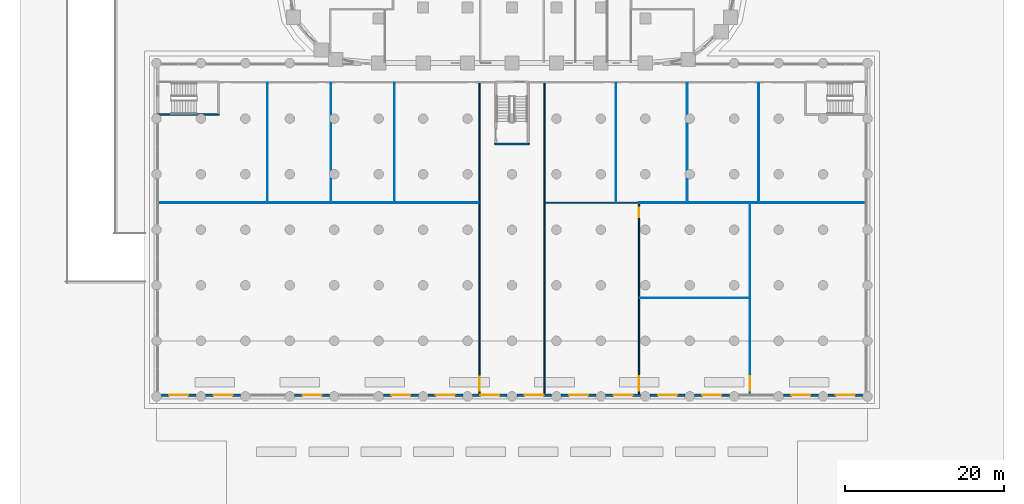
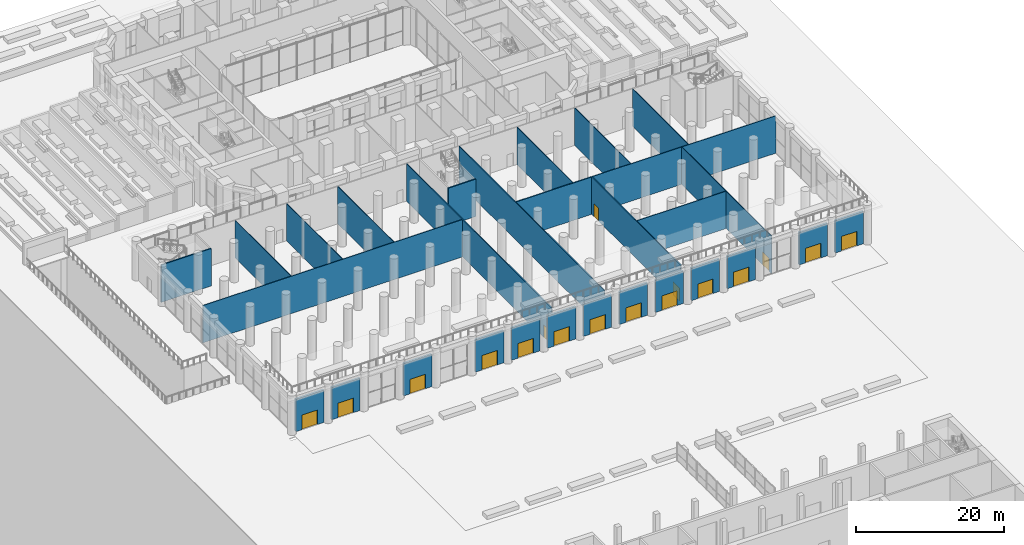
# One storey, part 32 of 51: 29 walls, 17 doors, 17 openings.
"""IFC4 building model written with IfcOpenShell, lengths in metres."""

from ifc_helpers import new_model, si_unit, direction, frame, frame_2d, origin, place, context, subcontext, project, spatial, rectangle, extrude, material, layer, layer_set, type_object, element, fill, save


model = new_model("IFC4")

# Units and contexts
model_context = context("Model", 3, precision=1e-05, world=origin(), true_north=direction((0.0, 1.0)))
body_context = subcontext(model_context, "Body", "Model", "MODEL_VIEW")
ifc_project = project(units=[si_unit("LENGTHUNIT", "METRE"), si_unit("AREAUNIT", "SQUARE_METRE"), si_unit("VOLUMEUNIT", "CUBIC_METRE"), si_unit("PLANEANGLEUNIT", "RADIAN"), si_unit("MASSUNIT", "GRAM", prefix="KILO")], contexts=[model_context])

# Site, building, storey
site_placement = place(None, origin())
site = spatial("IfcSite", under=ifc_project, at=site_placement, CompositionType="ELEMENT")
building_placement = place(site_placement, origin())
building = spatial("IfcBuilding", under=site, at=building_placement, Name="Kiln Ring Residences", CompositionType="ELEMENT")
storey_placement = place(building_placement, origin())
storey = spatial("IfcBuildingStorey", under=building, at=storey_placement, Name="L00", CompositionType="ELEMENT", Elevation=0.0)

# Wall, opening, door
ifc_material_1 = material(Name="Brick masonry, dark clay brick", Category="masonry")
ifc_layer_1 = layer(ifc_material_1, 0.300048828125)
ifc_layer_set_1 = layer_set([ifc_layer_1], Name="EW-300 BRICK WALL")
wall_type_1 = type_object("IfcWallType", Name="EW-300 BRICK WALL", PredefinedType="SOLIDWALL", material=ifc_layer_set_1)
wall_1_placement = place(storey_placement, frame((-44.199951171875, -64.25, 0.0), z_axis=(0.0, 0.0, 1.0), x_axis=(1.0, 0.0, 0.0)))
wall_1 = element("IfcWall", 1, at=wall_1_placement, inside=storey, type_object=wall_type_1, Name="Facade wall L00 7", PredefinedType="SOLIDWALL", context=body_context, shape_type="SweptSolid", body=[
    extrude(rectangle(XDim=4.39990234375, YDim=0.300048828125, at=frame_2d((2.199951171875, 0.0))), origin(), (0.0, 0.0, 1.0), 5.35009765625),
])
opening_1_placement = place(wall_1_placement, frame((1.0, 0.0, 0.0)))
opening_1 = element("IfcOpeningElement", 2, at=opening_1_placement, cuts=wall_1, Name="Opening EL00-7", PredefinedType="OPENING", context=body_context, shape_type="SweptSolid", body=[
    extrude(rectangle(XDim=2.39990234375, YDim=2.39990234375, at=frame_2d((1.199951171875, 1.199951171875))), frame((0.0, 0.159912109375, 0.0), z_axis=(0.0, -1.0, 0.0), x_axis=(1.0, 0.0, 0.0)), (0.0, 0.0, 1.0), 0.320068359375),
])
ifc_material_2 = material(Name="Aluminium and glass", Category="aluminium")
door_type_1 = type_object("IfcDoorType", Name="ENTRANCE DOOR 2400 x 2400", OperationType="DOUBLE_DOOR_SINGLE_SWING", PredefinedType="DOOR", material=ifc_material_2)
door_1_placement = place(opening_1_placement, origin())
door_1 = element("IfcDoor", 3, at=door_1_placement, inside=storey, type_object=door_type_1, Name="Entrance door EL00-7", OperationType="SINGLE_SWING_LEFT", OverallHeight=2.39990234375, OverallWidth=2.39990234375, PredefinedType="DOOR", context=body_context, shape_type="SweptSolid", body=[
    extrude(rectangle(XDim=2.39990234375, YDim=2.39990234375, at=frame_2d((1.199951171875, 1.199951171875))), frame((0.0, 0.02490234375, 0.0), z_axis=(0.0, -1.0, 0.0), x_axis=(1.0, 0.0, 0.0)), (0.0, 0.0, 1.0), 0.050048828125),
])
fill(opening_1, door_1)

wall_2_placement = place(storey_placement, frame((-38.60009765625, -64.25, 0.0), z_axis=(0.0, 0.0, 1.0), x_axis=(1.0, 0.0, 0.0)))
wall_2 = element("IfcWall", 4, at=wall_2_placement, inside=storey, type_object=wall_type_1, Name="Facade wall L00 8", PredefinedType="SOLIDWALL", context=body_context, shape_type="SweptSolid", body=[
    extrude(rectangle(XDim=4.400146484375, YDim=0.300048828125, at=frame_2d((2.2001953125, 0.0))), origin(), (0.0, 0.0, 1.0), 5.35009765625),
])
opening_2_placement = place(wall_2_placement, frame((1.0, 0.0, 0.0)))
opening_2 = element("IfcOpeningElement", 5, at=opening_2_placement, cuts=wall_2, Name="Opening EL00-8", PredefinedType="OPENING", context=body_context, shape_type="SweptSolid", body=[
    extrude(rectangle(XDim=2.39990234375, YDim=2.39990234375, at=frame_2d((1.199951171875, 1.199951171875))), frame((0.0, 0.159912109375, 0.0), z_axis=(0.0, -1.0, 0.0), x_axis=(1.0, 0.0, 0.0)), (0.0, 0.0, 1.0), 0.320068359375),
])
door_2_placement = place(opening_2_placement, origin())
door_2 = element("IfcDoor", 6, at=door_2_placement, inside=storey, type_object=door_type_1, Name="Entrance door EL00-8", OperationType="SINGLE_SWING_LEFT", OverallHeight=2.39990234375, OverallWidth=2.39990234375, PredefinedType="DOOR", context=body_context, shape_type="SweptSolid", body=[
    extrude(rectangle(XDim=2.39990234375, YDim=2.39990234375, at=frame_2d((1.199951171875, 1.199951171875))), frame((0.0, 0.02490234375, 0.0), z_axis=(0.0, -1.0, 0.0), x_axis=(1.0, 0.0, 0.0)), (0.0, 0.0, 1.0), 0.050048828125),
])
fill(opening_2, door_2)

wall_3_placement = place(storey_placement, frame((-27.39990234375, -64.25, 0.0), z_axis=(0.0, 0.0, 1.0), x_axis=(1.0, 0.0, 0.0)))
wall_3 = element("IfcWall", 7, at=wall_3_placement, inside=storey, type_object=wall_type_1, Name="Facade wall L00 9", PredefinedType="SOLIDWALL", context=body_context, shape_type="SweptSolid", body=[
    extrude(rectangle(XDim=4.39990234375, YDim=0.300048828125, at=frame_2d((2.199951171875, 0.0))), origin(), (0.0, 0.0, 1.0), 5.35009765625),
])
opening_3_placement = place(wall_3_placement, frame((1.0, 0.0, 0.0)))
opening_3 = element("IfcOpeningElement", 8, at=opening_3_placement, cuts=wall_3, Name="Opening EL00-9", PredefinedType="OPENING", context=body_context, shape_type="SweptSolid", body=[
    extrude(rectangle(XDim=2.39990234375, YDim=2.39990234375, at=frame_2d((1.199951171875, 1.199951171875))), frame((0.0, 0.159912109375, 0.0), z_axis=(0.0, -1.0, 0.0), x_axis=(1.0, 0.0, 0.0)), (0.0, 0.0, 1.0), 0.320068359375),
])
door_3_placement = place(opening_3_placement, origin())
door_3 = element("IfcDoor", 9, at=door_3_placement, inside=storey, type_object=door_type_1, Name="Entrance door EL00-9", OperationType="SINGLE_SWING_LEFT", OverallHeight=2.39990234375, OverallWidth=2.39990234375, PredefinedType="DOOR", context=body_context, shape_type="SweptSolid", body=[
    extrude(rectangle(XDim=2.39990234375, YDim=2.39990234375, at=frame_2d((1.199951171875, 1.199951171875))), frame((0.0, 0.02490234375, 0.0), z_axis=(0.0, -1.0, 0.0), x_axis=(1.0, 0.0, 0.0)), (0.0, 0.0, 1.0), 0.050048828125),
])
fill(opening_3, door_3)

wall_4_placement = place(storey_placement, frame((-16.199951171875, -64.25, 0.0), z_axis=(0.0, 0.0, 1.0), x_axis=(1.0, 0.0, 0.0)))
wall_4 = element("IfcWall", 10, at=wall_4_placement, inside=storey, type_object=wall_type_1, Name="Facade wall L00 10", PredefinedType="SOLIDWALL", context=body_context, shape_type="SweptSolid", body=[
    extrude(rectangle(XDim=4.39990234375, YDim=0.300048828125, at=frame_2d((2.199951171875, 0.0))), origin(), (0.0, 0.0, 1.0), 5.35009765625),
])
opening_4_placement = place(wall_4_placement, frame((1.0, 0.0, 0.0)))
opening_4 = element("IfcOpeningElement", 11, at=opening_4_placement, cuts=wall_4, Name="Opening EL00-10", PredefinedType="OPENING", context=body_context, shape_type="SweptSolid", body=[
    extrude(rectangle(XDim=2.39990234375, YDim=2.39990234375, at=frame_2d((1.199951171875, 1.199951171875))), frame((0.0, 0.159912109375, 0.0), z_axis=(0.0, -1.0, 0.0), x_axis=(1.0, 0.0, 0.0)), (0.0, 0.0, 1.0), 0.320068359375),
])
door_4_placement = place(opening_4_placement, origin())
door_4 = element("IfcDoor", 12, at=door_4_placement, inside=storey, type_object=door_type_1, Name="Entrance door EL00-10", OperationType="SINGLE_SWING_LEFT", OverallHeight=2.39990234375, OverallWidth=2.39990234375, PredefinedType="DOOR", context=body_context, shape_type="SweptSolid", body=[
    extrude(rectangle(XDim=2.39990234375, YDim=2.39990234375, at=frame_2d((1.199951171875, 1.199951171875))), frame((0.0, 0.02490234375, 0.0), z_axis=(0.0, -1.0, 0.0), x_axis=(1.0, 0.0, 0.0)), (0.0, 0.0, 1.0), 0.050048828125),
])
fill(opening_4, door_4)

wall_5_placement = place(storey_placement, frame((-10.60009765625, -64.25, 0.0), z_axis=(0.0, 0.0, 1.0), x_axis=(1.0, 0.0, 0.0)))
wall_5 = element("IfcWall", 13, at=wall_5_placement, inside=storey, type_object=wall_type_1, Name="Facade wall L00 11", PredefinedType="SOLIDWALL", context=body_context, shape_type="SweptSolid", body=[
    extrude(rectangle(XDim=4.400146484375, YDim=0.300048828125, at=frame_2d((2.2001953125, 0.0))), origin(), (0.0, 0.0, 1.0), 5.35009765625),
])
opening_5_placement = place(wall_5_placement, frame((1.0, 0.0, 0.0)))
opening_5 = element("IfcOpeningElement", 14, at=opening_5_placement, cuts=wall_5, Name="Opening EL00-11", PredefinedType="OPENING", context=body_context, shape_type="SweptSolid", body=[
    extrude(rectangle(XDim=2.39990234375, YDim=2.39990234375, at=frame_2d((1.199951171875, 1.199951171875))), frame((0.0, 0.159912109375, 0.0), z_axis=(0.0, -1.0, 0.0), x_axis=(1.0, 0.0, 0.0)), (0.0, 0.0, 1.0), 0.320068359375),
])
door_5_placement = place(opening_5_placement, origin())
door_5 = element("IfcDoor", 15, at=door_5_placement, inside=storey, type_object=door_type_1, Name="Entrance door EL00-11", OperationType="SINGLE_SWING_LEFT", OverallHeight=2.39990234375, OverallWidth=2.39990234375, PredefinedType="DOOR", context=body_context, shape_type="SweptSolid", body=[
    extrude(rectangle(XDim=2.39990234375, YDim=2.39990234375, at=frame_2d((1.199951171875, 1.199951171875))), frame((0.0, 0.02490234375, 0.0), z_axis=(0.0, -1.0, 0.0), x_axis=(1.0, 0.0, 0.0)), (0.0, 0.0, 1.0), 0.050048828125),
])
fill(opening_5, door_5)

wall_6_placement = place(storey_placement, frame((-5.0, -64.25, 0.0), z_axis=(0.0, 0.0, 1.0), x_axis=(1.0, 0.0, 0.0)))
wall_6 = element("IfcWall", 16, at=wall_6_placement, inside=storey, type_object=wall_type_1, Name="Facade wall L00 12", PredefinedType="SOLIDWALL", context=body_context, shape_type="SweptSolid", body=[
    extrude(rectangle(XDim=4.39990234375, YDim=0.300048828125, at=frame_2d((2.199951171875, 0.0))), origin(), (0.0, 0.0, 1.0), 5.35009765625),
])
opening_6_placement = place(wall_6_placement, frame((1.0, 0.0, 0.0)))
opening_6 = element("IfcOpeningElement", 17, at=opening_6_placement, cuts=wall_6, Name="Opening EL00-12", PredefinedType="OPENING", context=body_context, shape_type="SweptSolid", body=[
    extrude(rectangle(XDim=2.39990234375, YDim=2.39990234375, at=frame_2d((1.199951171875, 1.199951171875))), frame((0.0, 0.159912109375, 0.0), z_axis=(0.0, -1.0, 0.0), x_axis=(1.0, 0.0, 0.0)), (0.0, 0.0, 1.0), 0.320068359375),
])
door_6_placement = place(opening_6_placement, origin())
door_6 = element("IfcDoor", 18, at=door_6_placement, inside=storey, type_object=door_type_1, Name="Entrance door EL00-12", OperationType="SINGLE_SWING_LEFT", OverallHeight=2.39990234375, OverallWidth=2.39990234375, PredefinedType="DOOR", context=body_context, shape_type="SweptSolid", body=[
    extrude(rectangle(XDim=2.39990234375, YDim=2.39990234375, at=frame_2d((1.199951171875, 1.199951171875))), frame((0.0, 0.02490234375, 0.0), z_axis=(0.0, -1.0, 0.0), x_axis=(1.0, 0.0, 0.0)), (0.0, 0.0, 1.0), 0.050048828125),
])
fill(opening_6, door_6)

wall_7_placement = place(storey_placement, frame((0.60009765625, -64.25, 0.0), z_axis=(0.0, 0.0, 1.0), x_axis=(1.0, 0.0, 0.0)))
wall_7 = element("IfcWall", 19, at=wall_7_placement, inside=storey, type_object=wall_type_1, Name="Facade wall L00 13", PredefinedType="SOLIDWALL", context=body_context, shape_type="SweptSolid", body=[
    extrude(rectangle(XDim=4.39990234375, YDim=0.300048828125, at=frame_2d((2.199951171875, 0.0))), origin(), (0.0, 0.0, 1.0), 5.35009765625),
])
opening_7_placement = place(wall_7_placement, frame((1.0, 0.0, 0.0)))
opening_7 = element("IfcOpeningElement", 20, at=opening_7_placement, cuts=wall_7, Name="Opening EL00-13", PredefinedType="OPENING", context=body_context, shape_type="SweptSolid", body=[
    extrude(rectangle(XDim=2.39990234375, YDim=2.39990234375, at=frame_2d((1.199951171875, 1.199951171875))), frame((0.0, 0.159912109375, 0.0), z_axis=(0.0, -1.0, 0.0), x_axis=(1.0, 0.0, 0.0)), (0.0, 0.0, 1.0), 0.320068359375),
])
door_7_placement = place(opening_7_placement, origin())
door_7 = element("IfcDoor", 21, at=door_7_placement, inside=storey, type_object=door_type_1, Name="Entrance door EL00-13", OperationType="SINGLE_SWING_LEFT", OverallHeight=2.39990234375, OverallWidth=2.39990234375, PredefinedType="DOOR", context=body_context, shape_type="SweptSolid", body=[
    extrude(rectangle(XDim=2.39990234375, YDim=2.39990234375, at=frame_2d((1.199951171875, 1.199951171875))), frame((0.0, 0.02490234375, 0.0), z_axis=(0.0, -1.0, 0.0), x_axis=(1.0, 0.0, 0.0)), (0.0, 0.0, 1.0), 0.050048828125),
])
fill(opening_7, door_7)

wall_8_placement = place(storey_placement, frame((6.199951171875, -64.25, 0.0), z_axis=(0.0, 0.0, 1.0), x_axis=(1.0, 0.0, 0.0)))
wall_8 = element("IfcWall", 22, at=wall_8_placement, inside=storey, type_object=wall_type_1, Name="Facade wall L00 14", PredefinedType="SOLIDWALL", context=body_context, shape_type="SweptSolid", body=[
    extrude(rectangle(XDim=4.400146484375, YDim=0.300048828125, at=frame_2d((2.2001953125, 0.0))), origin(), (0.0, 0.0, 1.0), 5.35009765625),
])
opening_8_placement = place(wall_8_placement, frame((1.0, 0.0, 0.0)))
opening_8 = element("IfcOpeningElement", 23, at=opening_8_placement, cuts=wall_8, Name="Opening EL00-14", PredefinedType="OPENING", context=body_context, shape_type="SweptSolid", body=[
    extrude(rectangle(XDim=2.39990234375, YDim=2.39990234375, at=frame_2d((1.199951171875, 1.199951171875))), frame((0.0, 0.159912109375, 0.0), z_axis=(0.0, -1.0, 0.0), x_axis=(1.0, 0.0, 0.0)), (0.0, 0.0, 1.0), 0.320068359375),
])
door_8_placement = place(opening_8_placement, origin())
door_8 = element("IfcDoor", 24, at=door_8_placement, inside=storey, type_object=door_type_1, Name="Entrance door EL00-14", OperationType="SINGLE_SWING_LEFT", OverallHeight=2.39990234375, OverallWidth=2.39990234375, PredefinedType="DOOR", context=body_context, shape_type="SweptSolid", body=[
    extrude(rectangle(XDim=2.39990234375, YDim=2.39990234375, at=frame_2d((1.199951171875, 1.199951171875))), frame((0.0, 0.02490234375, 0.0), z_axis=(0.0, -1.0, 0.0), x_axis=(1.0, 0.0, 0.0)), (0.0, 0.0, 1.0), 0.050048828125),
])
fill(opening_8, door_8)

wall_9_placement = place(storey_placement, frame((11.800048828125, -64.25, 0.0), z_axis=(0.0, 0.0, 1.0), x_axis=(1.0, 0.0, 0.0)))
wall_9 = element("IfcWall", 25, at=wall_9_placement, inside=storey, type_object=wall_type_1, Name="Facade wall L00 15", PredefinedType="SOLIDWALL", context=body_context, shape_type="SweptSolid", body=[
    extrude(rectangle(XDim=4.39990234375, YDim=0.300048828125, at=frame_2d((2.199951171875, 0.0))), origin(), (0.0, 0.0, 1.0), 5.35009765625),
])
opening_9_placement = place(wall_9_placement, frame((1.0, 0.0, 0.0)))
opening_9 = element("IfcOpeningElement", 26, at=opening_9_placement, cuts=wall_9, Name="Opening EL00-15", PredefinedType="OPENING", context=body_context, shape_type="SweptSolid", body=[
    extrude(rectangle(XDim=2.39990234375, YDim=2.39990234375, at=frame_2d((1.199951171875, 1.199951171875))), frame((0.0, 0.159912109375, 0.0), z_axis=(0.0, -1.0, 0.0), x_axis=(1.0, 0.0, 0.0)), (0.0, 0.0, 1.0), 0.320068359375),
])
door_9_placement = place(opening_9_placement, origin())
door_9 = element("IfcDoor", 27, at=door_9_placement, inside=storey, type_object=door_type_1, Name="Entrance door EL00-15", OperationType="SINGLE_SWING_LEFT", OverallHeight=2.39990234375, OverallWidth=2.39990234375, PredefinedType="DOOR", context=body_context, shape_type="SweptSolid", body=[
    extrude(rectangle(XDim=2.39990234375, YDim=2.39990234375, at=frame_2d((1.199951171875, 1.199951171875))), frame((0.0, 0.02490234375, 0.0), z_axis=(0.0, -1.0, 0.0), x_axis=(1.0, 0.0, 0.0)), (0.0, 0.0, 1.0), 0.050048828125),
])
fill(opening_9, door_9)

wall_10_placement = place(storey_placement, frame((17.39990234375, -64.25, 0.0), z_axis=(0.0, 0.0, 1.0), x_axis=(1.0, 0.0, 0.0)))
wall_10 = element("IfcWall", 28, at=wall_10_placement, inside=storey, type_object=wall_type_1, Name="Facade wall L00 16", PredefinedType="SOLIDWALL", context=body_context, shape_type="SweptSolid", body=[
    extrude(rectangle(XDim=4.400146484375, YDim=0.300048828125, at=frame_2d((2.2001953125, 0.0))), origin(), (0.0, 0.0, 1.0), 5.35009765625),
])
opening_10_placement = place(wall_10_placement, frame((1.0, 0.0, 0.0)))
opening_10 = element("IfcOpeningElement", 29, at=opening_10_placement, cuts=wall_10, Name="Opening EL00-16", PredefinedType="OPENING", context=body_context, shape_type="SweptSolid", body=[
    extrude(rectangle(XDim=2.39990234375, YDim=2.39990234375, at=frame_2d((1.199951171875, 1.199951171875))), frame((0.0, 0.159912109375, 0.0), z_axis=(0.0, -1.0, 0.0), x_axis=(1.0, 0.0, 0.0)), (0.0, 0.0, 1.0), 0.320068359375),
])
door_10_placement = place(opening_10_placement, origin())
door_10 = element("IfcDoor", 30, at=door_10_placement, inside=storey, type_object=door_type_1, Name="Entrance door EL00-16", OperationType="SINGLE_SWING_LEFT", OverallHeight=2.39990234375, OverallWidth=2.39990234375, PredefinedType="DOOR", context=body_context, shape_type="SweptSolid", body=[
    extrude(rectangle(XDim=2.39990234375, YDim=2.39990234375, at=frame_2d((1.199951171875, 1.199951171875))), frame((0.0, 0.02490234375, 0.0), z_axis=(0.0, -1.0, 0.0), x_axis=(1.0, 0.0, 0.0)), (0.0, 0.0, 1.0), 0.050048828125),
])
fill(opening_10, door_10)

wall_11_placement = place(storey_placement, frame((23.0, -64.25, 0.0), z_axis=(0.0, 0.0, 1.0), x_axis=(1.0, 0.0, 0.0)))
wall_11 = element("IfcWall", 31, at=wall_11_placement, inside=storey, type_object=wall_type_1, Name="Facade wall L00 17", PredefinedType="SOLIDWALL", context=body_context, shape_type="SweptSolid", body=[
    extrude(rectangle(XDim=4.39990234375, YDim=0.300048828125, at=frame_2d((2.199951171875, 0.0))), origin(), (0.0, 0.0, 1.0), 5.35009765625),
])
opening_11_placement = place(wall_11_placement, frame((1.0, 0.0, 0.0)))
opening_11 = element("IfcOpeningElement", 32, at=opening_11_placement, cuts=wall_11, Name="Opening EL00-17", PredefinedType="OPENING", context=body_context, shape_type="SweptSolid", body=[
    extrude(rectangle(XDim=2.39990234375, YDim=2.39990234375, at=frame_2d((1.199951171875, 1.199951171875))), frame((0.0, 0.159912109375, 0.0), z_axis=(0.0, -1.0, 0.0), x_axis=(1.0, 0.0, 0.0)), (0.0, 0.0, 1.0), 0.320068359375),
])
door_11_placement = place(opening_11_placement, origin())
door_11 = element("IfcDoor", 33, at=door_11_placement, inside=storey, type_object=door_type_1, Name="Entrance door EL00-17", OperationType="SINGLE_SWING_LEFT", OverallHeight=2.39990234375, OverallWidth=2.39990234375, PredefinedType="DOOR", context=body_context, shape_type="SweptSolid", body=[
    extrude(rectangle(XDim=2.39990234375, YDim=2.39990234375, at=frame_2d((1.199951171875, 1.199951171875))), frame((0.0, 0.02490234375, 0.0), z_axis=(0.0, -1.0, 0.0), x_axis=(1.0, 0.0, 0.0)), (0.0, 0.0, 1.0), 0.050048828125),
])
fill(opening_11, door_11)

wall_12_placement = place(storey_placement, frame((34.199951171875, -64.25, 0.0), z_axis=(0.0, 0.0, 1.0), x_axis=(1.0, 0.0, 0.0)))
wall_12 = element("IfcWall", 34, at=wall_12_placement, inside=storey, type_object=wall_type_1, Name="Facade wall L00 18", PredefinedType="SOLIDWALL", context=body_context, shape_type="SweptSolid", body=[
    extrude(rectangle(XDim=4.400146484375, YDim=0.300048828125, at=frame_2d((2.2001953125, 0.0))), origin(), (0.0, 0.0, 1.0), 5.35009765625),
])
opening_12_placement = place(wall_12_placement, frame((1.0, 0.0, 0.0)))
opening_12 = element("IfcOpeningElement", 35, at=opening_12_placement, cuts=wall_12, Name="Opening EL00-18", PredefinedType="OPENING", context=body_context, shape_type="SweptSolid", body=[
    extrude(rectangle(XDim=2.39990234375, YDim=2.39990234375, at=frame_2d((1.199951171875, 1.199951171875))), frame((0.0, 0.159912109375, 0.0), z_axis=(0.0, -1.0, 0.0), x_axis=(1.0, 0.0, 0.0)), (0.0, 0.0, 1.0), 0.320068359375),
])
door_12_placement = place(opening_12_placement, origin())
door_12 = element("IfcDoor", 36, at=door_12_placement, inside=storey, type_object=door_type_1, Name="Entrance door EL00-18", OperationType="SINGLE_SWING_LEFT", OverallHeight=2.39990234375, OverallWidth=2.39990234375, PredefinedType="DOOR", context=body_context, shape_type="SweptSolid", body=[
    extrude(rectangle(XDim=2.39990234375, YDim=2.39990234375, at=frame_2d((1.199951171875, 1.199951171875))), frame((0.0, 0.02490234375, 0.0), z_axis=(0.0, -1.0, 0.0), x_axis=(1.0, 0.0, 0.0)), (0.0, 0.0, 1.0), 0.050048828125),
])
fill(opening_12, door_12)

wall_13_placement = place(storey_placement, frame((39.800048828125, -64.25, 0.0), z_axis=(0.0, 0.0, 1.0), x_axis=(1.0, 0.0, 0.0)))
wall_13 = element("IfcWall", 37, at=wall_13_placement, inside=storey, type_object=wall_type_1, Name="Facade wall L00 19", PredefinedType="SOLIDWALL", context=body_context, shape_type="SweptSolid", body=[
    extrude(rectangle(XDim=4.39990234375, YDim=0.300048828125, at=frame_2d((2.199951171875, 0.0))), origin(), (0.0, 0.0, 1.0), 5.35009765625),
])
opening_13_placement = place(wall_13_placement, frame((1.0, 0.0, 0.0)))
opening_13 = element("IfcOpeningElement", 38, at=opening_13_placement, cuts=wall_13, Name="Opening EL00-19", PredefinedType="OPENING", context=body_context, shape_type="SweptSolid", body=[
    extrude(rectangle(XDim=2.39990234375, YDim=2.39990234375, at=frame_2d((1.199951171875, 1.199951171875))), frame((0.0, 0.159912109375, 0.0), z_axis=(0.0, -1.0, 0.0), x_axis=(1.0, 0.0, 0.0)), (0.0, 0.0, 1.0), 0.320068359375),
])
door_13_placement = place(opening_13_placement, origin())
door_13 = element("IfcDoor", 39, at=door_13_placement, inside=storey, type_object=door_type_1, Name="Entrance door EL00-19", OperationType="SINGLE_SWING_LEFT", OverallHeight=2.39990234375, OverallWidth=2.39990234375, PredefinedType="DOOR", context=body_context, shape_type="SweptSolid", body=[
    extrude(rectangle(XDim=2.39990234375, YDim=2.39990234375, at=frame_2d((1.199951171875, 1.199951171875))), frame((0.0, 0.02490234375, 0.0), z_axis=(0.0, -1.0, 0.0), x_axis=(1.0, 0.0, 0.0)), (0.0, 0.0, 1.0), 0.050048828125),
])
fill(opening_13, door_13)

# Walls
ifc_material_3 = material(Name="Gypsum board on steel studs", Category="steel")
ifc_layer_2 = layer(ifc_material_3, 0.10009765625)
ifc_layer_set_2 = layer_set([ifc_layer_2], Name="PARTITION-100")
wall_type_2 = type_object("IfcWallType", Name="PARTITION-100", PredefinedType="PARTITIONING", material=ifc_layer_set_2)
wall_14_placement = place(storey_placement, frame((16.074951171875, -52.0, 0.0), z_axis=(0.0, 0.0, 1.0), x_axis=(1.0, 0.0, 0.0)))
element("IfcWall", 40, at=wall_14_placement, inside=storey, type_object=wall_type_2, Name="Partition 000", PredefinedType="PARTITIONING", context=body_context, shape_type="SweptSolid", body=[
    extrude(rectangle(XDim=13.875, YDim=0.10009765625, at=frame_2d((6.9375, 0.0))), origin(), (0.0, 0.0, 1.0), 6.14990234375),
])
wall_15_placement = place(storey_placement, frame((-44.617919921875, -40.0, 0.0), z_axis=(0.0, 0.0, 1.0), x_axis=(1.0, 0.0, 0.0)))
element("IfcWall", 41, at=wall_15_placement, inside=storey, type_object=wall_type_2, Name="Partition 001", PredefinedType="PARTITIONING", context=body_context, shape_type="SweptSolid", body=[
    extrude(rectangle(XDim=40.44287109375, YDim=0.10009765625, at=frame_2d((20.221435546875, 0.0))), origin(), (0.0, 0.0, 1.0), 6.14990234375),
])
wall_16_placement = place(storey_placement, frame((16.0, -40.0, 0.0), z_axis=(0.0, 0.0, 1.0), x_axis=(1.0, 0.0, 0.0)))
element("IfcWall", 42, at=wall_16_placement, inside=storey, type_object=wall_type_2, Name="Partition 002", PredefinedType="PARTITIONING", context=body_context, shape_type="SweptSolid", body=[
    extrude(rectangle(XDim=28.617919921875, YDim=0.10009765625, at=frame_2d((14.30908203125, 0.0))), origin(), (0.0, 0.0, 1.0), 6.14990234375),
])
for number, where, z_axis, x_axis, name in (
    (43, (-30.800048828125, -39.949951171875, 0.0), (0.0, 0.0, 1.0), (0.0, 1.0, 0.0), "Partition 019"),
    (44, (-22.800048828125, -39.949951171875, 0.0), (0.0, 0.0, 1.0), (0.0, 1.0, 0.0), "Partition 021"),
    (45, (-14.800048828125, -39.949951171875, 0.0), (0.0, 0.0, 1.0), (0.0, 1.0, 0.0), "Partition 027"),
):
    element("IfcWall", number, at=place(storey_placement, frame(where, z_axis=z_axis, x_axis=x_axis)), inside=storey, type_object=wall_type_2, Name=name, PredefinedType="PARTITIONING", context=body_context, shape_type="SweptSolid", body=[
        extrude(rectangle(XDim=15.074951171875, YDim=0.10009765625, at=frame_2d((7.53759765625, 0.0))), origin(), (0.0, 0.0, 1.0), 6.14990234375),
    ])
wall_17_placement = place(storey_placement, frame((13.10009765625, -39.925048828125, 0.0), z_axis=(0.0, 0.0, 1.0), x_axis=(0.0, 1.0, 0.0)))
element("IfcWall", 46, at=wall_17_placement, inside=storey, type_object=wall_type_2, Name="Partition 039", PredefinedType="PARTITIONING", context=body_context, shape_type="SweptSolid", body=[
    extrude(rectangle(XDim=15.050048828125, YDim=0.10009765625, at=frame_2d((7.52490234375, 0.0))), origin(), (0.0, 0.0, 1.0), 6.14990234375),
])
wall_18_placement = place(storey_placement, frame((22.10009765625, -39.949951171875, 0.0), z_axis=(0.0, 0.0, 1.0), x_axis=(0.0, 1.0, 0.0)))
element("IfcWall", 47, at=wall_18_placement, inside=storey, type_object=wall_type_2, Name="Partition 046", PredefinedType="PARTITIONING", context=body_context, shape_type="SweptSolid", body=[
    extrude(rectangle(XDim=15.074951171875, YDim=0.10009765625, at=frame_2d((7.53759765625, 0.0))), origin(), (0.0, 0.0, 1.0), 6.14990234375),
])

# Wall, opening, door
wall_19_placement = place(storey_placement, frame((30.0, -64.218017578125, 0.0), z_axis=(0.0, 0.0, 1.0), x_axis=(0.0, 1.0, 0.0)))
wall_19 = element("IfcWall", 48, at=wall_19_placement, inside=storey, type_object=wall_type_2, Name="Partition 048", PredefinedType="PARTITIONING", context=body_context, shape_type="SweptSolid", body=[
    extrude(rectangle(XDim=24.16796875, YDim=0.10009765625, at=frame_2d((12.083984375, 0.0))), origin(), (0.0, 0.0, 1.0), 6.14990234375),
])
opening_14_placement = place(wall_19_placement, frame((0.55810546875, 0.0, 0.0)))
opening_14 = element("IfcOpeningElement", 49, at=opening_14_placement, cuts=wall_19, Name="Opening L00-D017", PredefinedType="OPENING", context=body_context, shape_type="SweptSolid", body=[
    extrude(rectangle(XDim=1.800048828125, YDim=2.10009765625, at=frame_2d((0.89990234375, 1.050048828125))), frame((0.0, 0.06005859375, 0.0), z_axis=(0.0, -1.0, 0.0), x_axis=(1.0, 0.0, 0.0)), (0.0, 0.0, 1.0), 0.1201171875),
])
ifc_material_4 = material(Name="Timber door leaf", Category="wood")
door_type_2 = type_object("IfcDoorType", Name="FLAT-DOOR-1800-PL", OperationType="SINGLE_SWING_LEFT", PredefinedType="DOOR", material=ifc_material_4)
door_14_placement = place(opening_14_placement, origin())
door_14 = element("IfcDoor", 50, at=door_14_placement, inside=storey, type_object=door_type_2, Name="Door L00-D017", OperationType="SINGLE_SWING_LEFT", OverallHeight=2.10009765625, OverallWidth=1.800048828125, PredefinedType="DOOR", context=body_context, shape_type="SweptSolid", body=[
    extrude(rectangle(XDim=1.800048828125, YDim=2.10009765625, at=frame_2d((0.89990234375, 1.050048828125))), frame((0.0, 0.02490234375, 0.0), z_axis=(0.0, -1.0, 0.0), x_axis=(1.0, 0.0, 0.0)), (0.0, 0.0, 1.0), 0.050048828125),
])
fill(opening_14, door_14)

# Walls
wall_20_placement = place(storey_placement, frame((31.10009765625, -39.949951171875, 0.0), z_axis=(0.0, 0.0, 1.0), x_axis=(0.0, 1.0, 0.0)))
element("IfcWall", 51, at=wall_20_placement, inside=storey, type_object=wall_type_2, Name="Partition 049", PredefinedType="PARTITIONING", context=body_context, shape_type="SweptSolid", body=[
    extrude(rectangle(XDim=15.074951171875, YDim=0.10009765625, at=frame_2d((7.53759765625, 0.0))), origin(), (0.0, 0.0, 1.0), 6.14990234375),
])
ifc_material_5 = material(Name="Brick masonry partition", Category="masonry")
ifc_layer_3 = layer(ifc_material_5, 0.14990234375)
ifc_layer_set_3 = layer_set([ifc_layer_3], Name="PARTITION-150-ei60")
wall_type_3 = type_object("IfcWallType", Name="PARTITION-150-ei60", PredefinedType="PARTITIONING", material=ifc_layer_set_3)
wall_21_placement = place(storey_placement, frame((4.175048828125, -40.0, 0.0), z_axis=(0.0, 0.0, 1.0), x_axis=(1.0, 0.0, 0.0)))
element("IfcWall", 52, at=wall_21_placement, inside=storey, type_object=wall_type_3, Name="Partition 003", PredefinedType="PARTITIONING", context=body_context, shape_type="SweptSolid", body=[
    extrude(rectangle(XDim=11.824951171875, YDim=0.14990234375, at=frame_2d((5.91259765625, 0.0))), origin(), (0.0, 0.0, 1.0), 6.14990234375),
])

# Wall, opening, door
wall_22_placement = place(storey_placement, frame((-4.10009765625, -64.080078125, 0.0), z_axis=(0.0, 0.0, 1.0), x_axis=(0.0, 1.0, 0.0)))
wall_22 = element("IfcWall", 53, at=wall_22_placement, inside=storey, type_object=wall_type_3, Name="Partition 029", PredefinedType="PARTITIONING", context=body_context, shape_type="SweptSolid", body=[
    extrude(rectangle(XDim=39.205078125, YDim=0.14990234375, at=frame_2d((19.6025390625, 0.0))), origin(), (0.0, 0.0, 1.0), 6.14990234375),
])
opening_15_placement = place(wall_22_placement, frame((0.3798828125, 0.0, 0.0)))
opening_15 = element("IfcOpeningElement", 54, at=opening_15_placement, cuts=wall_22, Name="Opening L00-D010", PredefinedType="OPENING", context=body_context, shape_type="SweptSolid", body=[
    extrude(rectangle(XDim=1.800048828125, YDim=2.10009765625, at=frame_2d((0.89990234375, 1.050048828125))), frame((0.0, 0.0849609375, 0.0), z_axis=(0.0, -1.0, 0.0), x_axis=(1.0, 0.0, 0.0)), (0.0, 0.0, 1.0), 0.169921875),
])
ifc_material_6 = material(Name="Steel faced fire door leaf", Category="steel")
door_type_3 = type_object("IfcDoorType", Name="FLAT-DOOR-1800-FR", OperationType="SINGLE_SWING_LEFT", PredefinedType="DOOR", material=ifc_material_6)
door_15_placement = place(opening_15_placement, origin())
door_15 = element("IfcDoor", 55, at=door_15_placement, inside=storey, type_object=door_type_3, Name="Door L00-D010", OperationType="SINGLE_SWING_RIGHT", OverallHeight=2.10009765625, OverallWidth=1.800048828125, PredefinedType="DOOR", context=body_context, shape_type="SweptSolid", body=[
    extrude(rectangle(XDim=1.800048828125, YDim=2.10009765625, at=frame_2d((0.89990234375, 1.050048828125))), frame((0.0, 0.02490234375, 0.0), z_axis=(0.0, -1.0, 0.0), x_axis=(1.0, 0.0, 0.0)), (0.0, 0.0, 1.0), 0.050048828125),
])
fill(opening_15, door_15)

# Wall
wall_23_placement = place(storey_placement, frame((4.10009765625, -64.080078125, 0.0), z_axis=(0.0, 0.0, 1.0), x_axis=(0.0, 1.0, 0.0)))
element("IfcWall", 56, at=wall_23_placement, inside=storey, type_object=wall_type_3, Name="Partition 035", PredefinedType="PARTITIONING", context=body_context, shape_type="SweptSolid", body=[
    extrude(rectangle(XDim=39.205078125, YDim=0.14990234375, at=frame_2d((19.6025390625, 0.0))), origin(), (0.0, 0.0, 1.0), 6.14990234375),
])

# Wall, openings, doors
wall_24_placement = place(storey_placement, frame((16.0, -64.080078125, 0.0), z_axis=(0.0, 0.0, 1.0), x_axis=(0.0, 1.0, 0.0)))
wall_24 = element("IfcWall", 57, at=wall_24_placement, inside=storey, type_object=wall_type_3, Name="Partition 044", PredefinedType="PARTITIONING", context=body_context, shape_type="SweptSolid", body=[
    extrude(rectangle(XDim=24.030029296875, YDim=0.14990234375, at=frame_2d((12.01513671875, 0.0))), origin(), (0.0, 0.0, 1.0), 6.14990234375),
])
opening_16_placement = place(wall_24_placement, frame((0.419921875, 0.0, 0.0)))
opening_16 = element("IfcOpeningElement", 58, at=opening_16_placement, cuts=wall_24, Name="Opening L00-D015", PredefinedType="OPENING", context=body_context, shape_type="SweptSolid", body=[
    extrude(rectangle(XDim=1.800048828125, YDim=2.10009765625, at=frame_2d((0.89990234375, 1.050048828125))), frame((0.0, 0.0849609375, 0.0), z_axis=(0.0, -1.0, 0.0), x_axis=(1.0, 0.0, 0.0)), (0.0, 0.0, 1.0), 0.169921875),
])
opening_17_placement = place(wall_24_placement, frame((22.22998046875, 0.0, 0.0)))
opening_17 = element("IfcOpeningElement", 59, at=opening_17_placement, cuts=wall_24, Name="Opening L00-D016", PredefinedType="OPENING", context=body_context, shape_type="SweptSolid", body=[
    extrude(rectangle(XDim=1.199951171875, YDim=2.10009765625, at=frame_2d((0.60009765625, 1.050048828125))), frame((0.0, 0.0849609375, 0.0), z_axis=(0.0, -1.0, 0.0), x_axis=(1.0, 0.0, 0.0)), (0.0, 0.0, 1.0), 0.169921875),
])
ifc_material_7 = material(Name="Steel faced fire door leaf", Category="steel")
door_type_4 = type_object("IfcDoorType", Name="FLAT-DOOR-1200-FR", OperationType="SINGLE_SWING_LEFT", PredefinedType="DOOR", material=ifc_material_7)
door_16_placement = place(opening_17_placement, origin())
door_16 = element("IfcDoor", 60, at=door_16_placement, inside=storey, type_object=door_type_4, Name="Door L00-D016", OperationType="SINGLE_SWING_RIGHT", OverallHeight=2.10009765625, OverallWidth=1.199951171875, PredefinedType="DOOR", context=body_context, shape_type="SweptSolid", body=[
    extrude(rectangle(XDim=1.199951171875, YDim=2.10009765625, at=frame_2d((0.60009765625, 1.050048828125))), frame((0.0, 0.02490234375, 0.0), z_axis=(0.0, -1.0, 0.0), x_axis=(1.0, 0.0, 0.0)), (0.0, 0.0, 1.0), 0.050048828125),
])
fill(opening_17, door_16)
door_17_placement = place(opening_16_placement, origin())
door_17 = element("IfcDoor", 61, at=door_17_placement, inside=storey, type_object=door_type_3, Name="Door L00-D015", OperationType="SINGLE_SWING_LEFT", OverallHeight=2.10009765625, OverallWidth=1.800048828125, PredefinedType="DOOR", context=body_context, shape_type="SweptSolid", body=[
    extrude(rectangle(XDim=1.800048828125, YDim=2.10009765625, at=frame_2d((0.89990234375, 1.050048828125))), frame((0.0, 0.02490234375, 0.0), z_axis=(0.0, -1.0, 0.0), x_axis=(1.0, 0.0, 0.0)), (0.0, 0.0, 1.0), 0.050048828125),
])
fill(opening_16, door_17)

# Walls
ifc_material_8 = material(Name="Concrete C40/50", Category="concrete")
ifc_layer_4 = layer(ifc_material_8, 0.199951171875)
ifc_layer_set_4 = layer_set([ifc_layer_4], Name="PODIUM-STAIR-WALL-200")
wall_type_4 = type_object("IfcWallType", Name="PODIUM-STAIR-WALL-200", PredefinedType="SHEAR", material=ifc_layer_set_4)
wall_25_placement = place(storey_placement, frame((-2.14990234375, -32.60009765625, 0.0), z_axis=(0.0, 0.0, 1.0), x_axis=(1.0, 0.0, 0.0)))
element("IfcWall", 62, at=wall_25_placement, inside=storey, type_object=wall_type_4, Name="Stair wall 004", PredefinedType="SHEAR", context=body_context, shape_type="SweptSolid", body=[
    extrude(rectangle(XDim=4.2998046875, YDim=0.199951171875, at=frame_2d((2.14990234375, 0.0))), origin(), (0.0, 0.0, 1.0), 6.14990234375),
])
wall_26_placement = place(storey_placement, frame((-44.7099609375, -28.89990234375, 0.0), z_axis=(0.0, 0.0, 1.0), x_axis=(1.0, 0.0, 0.0)))
element("IfcWall", 63, at=wall_26_placement, inside=storey, type_object=wall_type_4, Name="Stair wall 005", PredefinedType="SHEAR", context=body_context, shape_type="SweptSolid", body=[
    extrude(rectangle(XDim=7.81005859375, YDim=0.199951171875, at=frame_2d((3.905029296875, 0.0))), origin(), (0.0, 0.0, 1.0), 6.14990234375),
])

save(model, "model.ifc")
